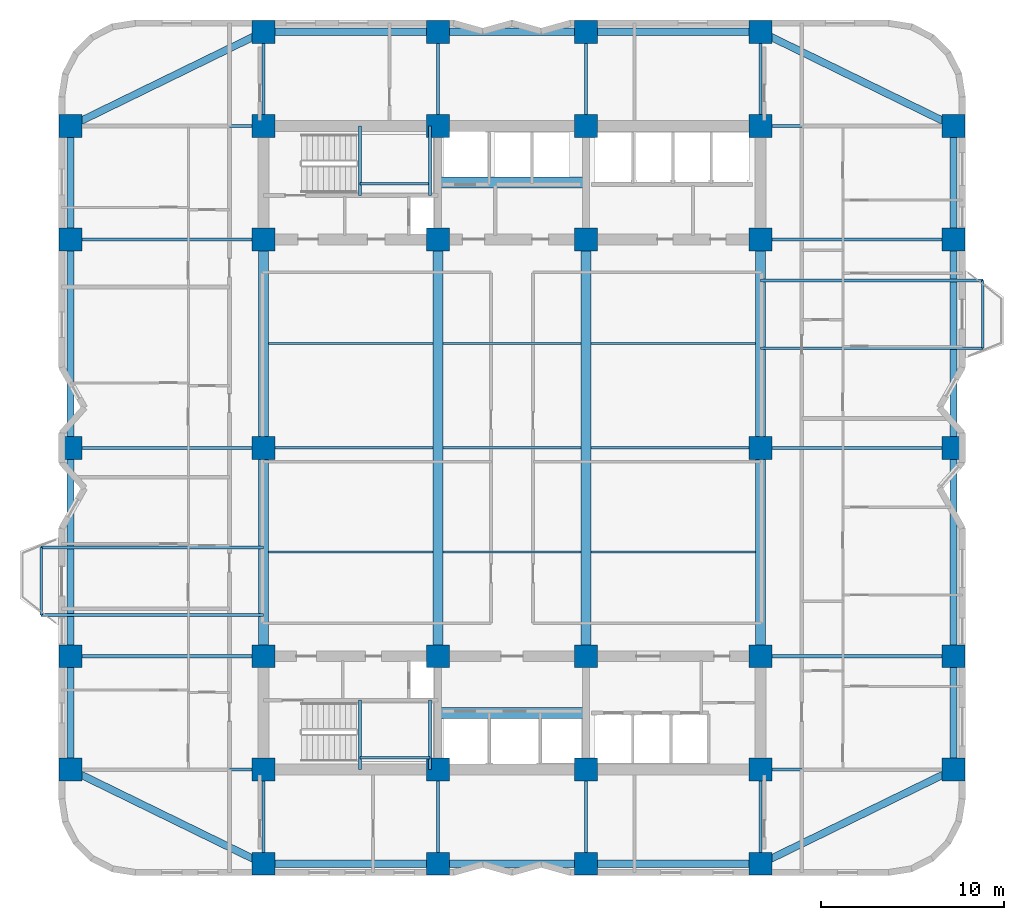
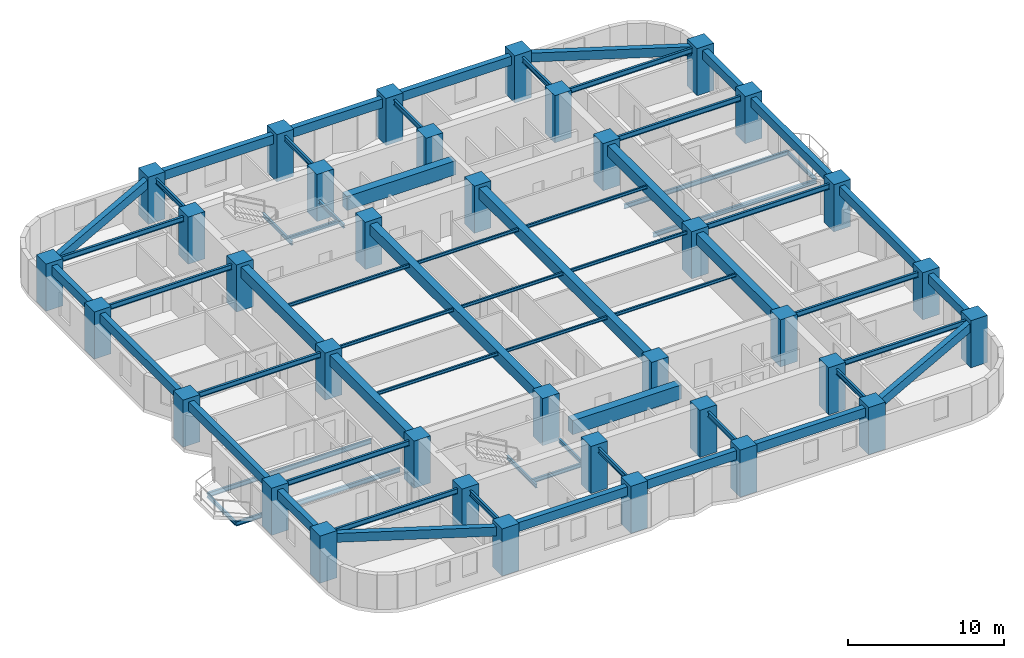
# One storey, part 1 of 9: 65 beams, 36 columns.
"""IFC4 building model written with IfcOpenShell, lengths in metres."""

from ifc_helpers import new_model, si_unit, direction, frame, origin, origin_2d, place, context, subcontext, project, spatial, rectangle, i_section, extrude, material, material_profile, profile_set, type_object, element, save


model = new_model("IFC4")

# Units and contexts
model_context = context("Model", 3, precision=1e-05, world=origin(), true_north=direction((0.0, 1.0)))
body_context = subcontext(model_context, "Body", "Model", "MODEL_VIEW")
ifc_project = project(units=[si_unit("LENGTHUNIT", "METRE"), si_unit("AREAUNIT", "SQUARE_METRE"), si_unit("VOLUMEUNIT", "CUBIC_METRE"), si_unit("PLANEANGLEUNIT", "RADIAN"), si_unit("MASSUNIT", "GRAM", prefix="KILO")], contexts=[model_context])

# Site, building, storey
site_placement = place(None, origin())
site = spatial("IfcSite", under=ifc_project, at=site_placement, CompositionType="ELEMENT")
building_placement = place(site_placement, origin())
building = spatial("IfcBuilding", under=site, at=building_placement, Name="Svetorya Sky Lyceum", CompositionType="ELEMENT")
storey_placement = place(building_placement, frame((0.0, 0.0, 54.699951171875)))
storey = spatial("IfcBuildingStorey", under=building, at=storey_placement, Name="L13", CompositionType="ELEMENT", Elevation=54.699951171875)

# Columns
ifc_material_1 = material(Name="Concrete C60/75", Category="concrete")
ifc_material_profile_1 = material_profile(ifc_material_1, rectangle(XDim=1.25, YDim=1.25, at=origin_2d()), Name="RC COL 1250x1250")
ifc_profile_set_1 = profile_set([ifc_material_profile_1], Name="Concrete C60/75")
column_type = type_object("IfcColumnType", Name="COL-RC-1250", PredefinedType="COLUMN", material=ifc_profile_set_1)
for number, where, z_axis, x_axis, name in (
    (1, (25.60009765625, 10.60009765625, 0.0), (0.0, 0.0, 1.0), (1.0, 0.0, 0.0), "L13 Core Column CS-11"),
    (2, (25.60009765625, 16.800048828125, 0.0), (0.0, 0.0, 1.0), (1.0, 0.0, 0.0), "L13 Core Column CS-12"),
    (3, (35.14990234375, 10.60009765625, 0.0), (0.0, 0.0, 1.0), (1.0, 0.0, 0.0), "L13 Core Column CS-21"),
    (4, (35.14990234375, 16.800048828125, 0.0), (0.0, 0.0, 1.0), (1.0, 0.0, 0.0), "L13 Core Column CS-22"),
    (5, (43.25, 10.60009765625, 0.0), (0.0, 0.0, 1.0), (1.0, 0.0, 0.0), "L13 Core Column CS-31"),
    (6, (43.25, 16.800048828125, 0.0), (0.0, 0.0, 1.0), (1.0, 0.0, 0.0), "L13 Core Column CS-32"),
    (7, (52.800048828125, 10.60009765625, 0.0), (0.0, 0.0, 1.0), (1.0, 0.0, 0.0), "L13 Core Column CS-41"),
    (8, (52.800048828125, 16.800048828125, 0.0), (0.0, 0.0, 1.0), (1.0, 0.0, 0.0), "L13 Core Column CS-42"),
    (9, (25.60009765625, 39.60009765625, 0.0), (0.0, 0.0, 1.0), (1.0, 0.0, 0.0), "L13 Core Column CN-11"),
    (10, (25.60009765625, 45.800048828125, 0.0), (0.0, 0.0, 1.0), (1.0, 0.0, 0.0), "L13 Core Column CN-12"),
    (11, (35.14990234375, 39.60009765625, 0.0), (0.0, 0.0, 1.0), (1.0, 0.0, 0.0), "L13 Core Column CN-21"),
    (12, (35.14990234375, 45.800048828125, 0.0), (0.0, 0.0, 1.0), (1.0, 0.0, 0.0), "L13 Core Column CN-22"),
    (13, (43.25, 39.60009765625, 0.0), (0.0, 0.0, 1.0), (1.0, 0.0, 0.0), "L13 Core Column CN-31"),
    (14, (43.25, 45.800048828125, 0.0), (0.0, 0.0, 1.0), (1.0, 0.0, 0.0), "L13 Core Column CN-32"),
    (15, (52.800048828125, 39.60009765625, 0.0), (0.0, 0.0, 1.0), (1.0, 0.0, 0.0), "L13 Core Column CN-41"),
    (16, (52.800048828125, 45.800048828125, 0.0), (0.0, 0.0, 1.0), (1.0, 0.0, 0.0), "L13 Core Column CN-42"),
    (17, (25.60009765625, 28.199951171875, 0.0), (0.0, 0.0, 1.0), (1.0, 0.0, 0.0), "L13 Core Column CM-W"),
    (18, (52.800048828125, 28.199951171875, 0.0), (0.0, 0.0, 1.0), (1.0, 0.0, 0.0), "L13 Core Column CM-E"),
    (19, (25.60009765625, 5.449951171875, 0.0), (0.0, 0.0, 1.0), (1.0, 0.0, 0.0), "L13 Perimeter Column S1"),
    (20, (25.60009765625, 50.949951171875, 0.0), (0.0, 0.0, 1.0), (1.0, 0.0, 0.0), "L13 Perimeter Column N1"),
    (21, (35.14990234375, 5.449951171875, 0.0), (0.0, 0.0, 1.0), (1.0, 0.0, 0.0), "L13 Perimeter Column S2"),
    (22, (35.14990234375, 50.949951171875, 0.0), (0.0, 0.0, 1.0), (1.0, 0.0, 0.0), "L13 Perimeter Column N2"),
    (23, (43.25, 5.449951171875, 0.0), (0.0, 0.0, 1.0), (1.0, 0.0, 0.0), "L13 Perimeter Column S3"),
    (24, (43.25, 50.949951171875, 0.0), (0.0, 0.0, 1.0), (1.0, 0.0, 0.0), "L13 Perimeter Column N3"),
    (25, (52.800048828125, 5.449951171875, 0.0), (0.0, 0.0, 1.0), (1.0, 0.0, 0.0), "L13 Perimeter Column S4"),
    (26, (52.800048828125, 50.949951171875, 0.0), (0.0, 0.0, 1.0), (1.0, 0.0, 0.0), "L13 Perimeter Column N4"),
    (27, (15.050048828125, 10.60009765625, 0.0), (0.0, 0.0, 1.0), (1.0, 0.0, 0.0), "L13 Perimeter Column W1"),
    (28, (63.35009765625, 10.60009765625, 0.0), (0.0, 0.0, 1.0), (1.0, 0.0, 0.0), "L13 Perimeter Column E1"),
    (29, (15.050048828125, 16.800048828125, 0.0), (0.0, 0.0, 1.0), (1.0, 0.0, 0.0), "L13 Perimeter Column W2"),
    (30, (63.35009765625, 16.800048828125, 0.0), (0.0, 0.0, 1.0), (1.0, 0.0, 0.0), "L13 Perimeter Column E2"),
    (31, (15.050048828125, 28.199951171875, 0.0), (0.0, 0.0, 1.0), (1.0, 0.0, 0.0), "L13 Perimeter Column W3"),
    (32, (63.35009765625, 28.199951171875, 0.0), (0.0, 0.0, 1.0), (1.0, 0.0, 0.0), "L13 Perimeter Column E3"),
    (33, (15.050048828125, 39.60009765625, 0.0), (0.0, 0.0, 1.0), (1.0, 0.0, 0.0), "L13 Perimeter Column W4"),
    (34, (63.35009765625, 39.60009765625, 0.0), (0.0, 0.0, 1.0), (1.0, 0.0, 0.0), "L13 Perimeter Column E4"),
    (35, (15.050048828125, 45.800048828125, 0.0), (0.0, 0.0, 1.0), (1.0, 0.0, 0.0), "L13 Perimeter Column W5"),
    (36, (63.35009765625, 45.800048828125, 0.0), (0.0, 0.0, 1.0), (1.0, 0.0, 0.0), "L13 Perimeter Column E5"),
):
    element("IfcColumn", number, at=place(storey_placement, frame(where, z_axis=z_axis, x_axis=x_axis)), inside=storey, type_object=column_type, Name=name, PredefinedType="COLUMN", context=body_context, shape_type="SweptSolid", body=[
        extrude(rectangle(XDim=1.25, YDim=1.25, at=origin_2d()), origin(), (0.0, 0.0, 1.0), 3.699951171875),
    ])

# Beams
ifc_material_profile_2 = material_profile(ifc_material_1, rectangle(XDim=0.60009765625, YDim=1.10009765625, at=origin_2d()), Name="RC COUPLING 600x1100")
ifc_profile_set_2 = profile_set([ifc_material_profile_2], Name="Concrete C60/75")
beam_type_1 = type_object("IfcBeamType", Name="BM-CPL-1100", PredefinedType="LINTEL", material=ifc_profile_set_2)
for number, where, z_axis, x_axis, name in (
    (37, (35.14990234375, 13.699951171875, 2.8701171875), (1.0, 0.0, 0.0), (0.0, 1.0, 0.0), "L13 SC Core Coupling Beam"),
    (38, (35.14990234375, 42.699951171875, 2.8701171875), (1.0, 0.0, 0.0), (0.0, 1.0, 0.0), "L13 NC Core Coupling Beam"),
):
    element("IfcBeam", number, at=place(storey_placement, frame(where, z_axis=z_axis, x_axis=x_axis)), inside=storey, type_object=beam_type_1, Name=name, PredefinedType="LINTEL", context=body_context, shape_type="SweptSolid", body=[
        extrude(rectangle(XDim=0.60009765625, YDim=1.10009765625, at=origin_2d()), origin(), (0.0, 0.0, 1.0), 8.10009765625),
    ])
ifc_material_2 = material(Name="Concrete C50/60", Category="concrete")
ifc_material_profile_3 = material_profile(ifc_material_2, rectangle(XDim=0.550048828125, YDim=0.85009765625, at=origin_2d()), Name="RC BEAM 550x850")
ifc_profile_set_3 = profile_set([ifc_material_profile_3], Name="Concrete C50/60")
beam_type_2 = type_object("IfcBeamType", Name="BM-RC-850", PredefinedType="BEAM", material=ifc_profile_set_3)
beam_1_placement = place(storey_placement, frame((25.60009765625, 16.800048828125, 2.9951171875), z_axis=(0.0, 1.0, 0.0), x_axis=(-1.0, 0.0, 0.0)))
element("IfcBeam", 39, at=beam_1_placement, inside=storey, type_object=beam_type_2, Name="L13 Central Bay Primary Girder CG-1A", PredefinedType="BEAM", context=body_context, shape_type="SweptSolid", body=[
    extrude(rectangle(XDim=0.550048828125, YDim=0.85009765625, at=origin_2d()), origin(), (0.0, 0.0, 1.0), 11.39990234375),
])
beam_2_placement = place(storey_placement, frame((25.60009765625, 28.199951171875, 2.9951171875), z_axis=(0.0, 1.0, 0.0), x_axis=(-1.0, 0.0, 0.0)))
element("IfcBeam", 40, at=beam_2_placement, inside=storey, type_object=beam_type_2, Name="L13 Central Bay Primary Girder CG-1B", PredefinedType="BEAM", context=body_context, shape_type="SweptSolid", body=[
    extrude(rectangle(XDim=0.550048828125, YDim=0.85009765625, at=origin_2d()), origin(), (0.0, 0.0, 1.0), 11.400146484375),
])
for number, where, z_axis, x_axis, name in (
    (41, (35.14990234375, 16.800048828125, 2.9951171875), (0.0, 1.0, 0.0), (-1.0, 0.0, 0.0), "L13 Central Bay Primary Girder CG-2"),
    (42, (43.25, 16.800048828125, 2.9951171875), (0.0, 1.0, 0.0), (-1.0, 0.0, 0.0), "L13 Central Bay Primary Girder CG-3"),
):
    element("IfcBeam", number, at=place(storey_placement, frame(where, z_axis=z_axis, x_axis=x_axis)), inside=storey, type_object=beam_type_2, Name=name, PredefinedType="BEAM", context=body_context, shape_type="SweptSolid", body=[
        extrude(rectangle(XDim=0.550048828125, YDim=0.85009765625, at=origin_2d()), origin(), (0.0, 0.0, 1.0), 22.800048828125),
    ])
beam_3_placement = place(storey_placement, frame((52.800048828125, 16.800048828125, 2.9951171875), z_axis=(0.0, 1.0, 0.0), x_axis=(-1.0, 0.0, 0.0)))
element("IfcBeam", 43, at=beam_3_placement, inside=storey, type_object=beam_type_2, Name="L13 Central Bay Primary Girder CG-4A", PredefinedType="BEAM", context=body_context, shape_type="SweptSolid", body=[
    extrude(rectangle(XDim=0.550048828125, YDim=0.85009765625, at=origin_2d()), origin(), (0.0, 0.0, 1.0), 11.39990234375),
])
beam_4_placement = place(storey_placement, frame((52.800048828125, 28.199951171875, 2.9951171875), z_axis=(0.0, 1.0, 0.0), x_axis=(-1.0, 0.0, 0.0)))
element("IfcBeam", 44, at=beam_4_placement, inside=storey, type_object=beam_type_2, Name="L13 Central Bay Primary Girder CG-4B", PredefinedType="BEAM", context=body_context, shape_type="SweptSolid", body=[
    extrude(rectangle(XDim=0.550048828125, YDim=0.85009765625, at=origin_2d()), origin(), (0.0, 0.0, 1.0), 11.400146484375),
])
ifc_material_profile_4 = material_profile(ifc_material_2, rectangle(XDim=0.39990234375, YDim=0.699951171875, at=origin_2d()), Name="RC SPANDREL 400x700")
ifc_profile_set_4 = profile_set([ifc_material_profile_4], Name="Concrete C50/60")
beam_type_3 = type_object("IfcBeamType", Name="BM-SPN-700", PredefinedType="SPANDREL", material=ifc_profile_set_4)
beam_5_placement = place(storey_placement, frame((25.60009765625, 5.449951171875, 3.070068359375), z_axis=(1.0, 0.0, 0.0), x_axis=(0.0, 1.0, 0.0)))
element("IfcBeam", 45, at=beam_5_placement, inside=storey, type_object=beam_type_3, Name="L13 South Spandrel 1", PredefinedType="SPANDREL", context=body_context, shape_type="SweptSolid", body=[
    extrude(rectangle(XDim=0.39990234375, YDim=0.699951171875, at=origin_2d()), origin(), (0.0, 0.0, 1.0), 9.5498046875),
])
beam_6_placement = place(storey_placement, frame((35.14990234375, 5.449951171875, 3.070068359375), z_axis=(1.0, 0.0, 0.0), x_axis=(0.0, 1.0, 0.0)))
element("IfcBeam", 46, at=beam_6_placement, inside=storey, type_object=beam_type_3, Name="L13 South Spandrel 2", PredefinedType="SPANDREL", context=body_context, shape_type="SweptSolid", body=[
    extrude(rectangle(XDim=0.39990234375, YDim=0.699951171875, at=origin_2d()), origin(), (0.0, 0.0, 1.0), 8.10009765625),
])
beam_7_placement = place(storey_placement, frame((43.25, 5.449951171875, 3.070068359375), z_axis=(1.0, 0.0, 0.0), x_axis=(0.0, 1.0, 0.0)))
element("IfcBeam", 47, at=beam_7_placement, inside=storey, type_object=beam_type_3, Name="L13 South Spandrel 3", PredefinedType="SPANDREL", context=body_context, shape_type="SweptSolid", body=[
    extrude(rectangle(XDim=0.39990234375, YDim=0.699951171875, at=origin_2d()), origin(), (0.0, 0.0, 1.0), 9.550048828125),
])
beam_8_placement = place(storey_placement, frame((25.60009765625, 50.949951171875, 3.070068359375), z_axis=(1.0, 0.0, 0.0), x_axis=(0.0, 1.0, 0.0)))
element("IfcBeam", 48, at=beam_8_placement, inside=storey, type_object=beam_type_3, Name="L13 North Spandrel 1", PredefinedType="SPANDREL", context=body_context, shape_type="SweptSolid", body=[
    extrude(rectangle(XDim=0.39990234375, YDim=0.699951171875, at=origin_2d()), origin(), (0.0, 0.0, 1.0), 9.5498046875),
])
beam_9_placement = place(storey_placement, frame((35.14990234375, 50.949951171875, 3.070068359375), z_axis=(1.0, 0.0, 0.0), x_axis=(0.0, 1.0, 0.0)))
element("IfcBeam", 49, at=beam_9_placement, inside=storey, type_object=beam_type_3, Name="L13 North Spandrel 2", PredefinedType="SPANDREL", context=body_context, shape_type="SweptSolid", body=[
    extrude(rectangle(XDim=0.39990234375, YDim=0.699951171875, at=origin_2d()), origin(), (0.0, 0.0, 1.0), 8.10009765625),
])
beam_10_placement = place(storey_placement, frame((43.25, 50.949951171875, 3.070068359375), z_axis=(1.0, 0.0, 0.0), x_axis=(0.0, 1.0, 0.0)))
element("IfcBeam", 50, at=beam_10_placement, inside=storey, type_object=beam_type_3, Name="L13 North Spandrel 3", PredefinedType="SPANDREL", context=body_context, shape_type="SweptSolid", body=[
    extrude(rectangle(XDim=0.39990234375, YDim=0.699951171875, at=origin_2d()), origin(), (0.0, 0.0, 1.0), 9.550048828125),
])
for number, where, z_axis, x_axis, name in (
    (51, (25.60009765625, 5.449951171875, 3.070068359375), (-0.898641495694, 0.438683783854, 0.0), (-0.438683783854, -0.898641495694, 0.0), "L13 Corner Spandrel 1"),
    (52, (52.800048828125, 5.449951171875, 3.070068359375), (0.898641495694, 0.438683783854, 0.0), (-0.438683783854, 0.898641495694, 0.0), "L13 Corner Spandrel 2"),
    (53, (63.35009765625, 45.800048828125, 3.070068359375), (-0.898649693653, 0.438666989978, 0.0), (-0.438666989978, -0.898649693653, 0.0), "L13 Corner Spandrel 3"),
    (54, (15.050048828125, 45.800048828125, 3.070068359375), (0.898649693653, 0.438666989978, 0.0), (-0.438666989978, 0.898649693653, 0.0), "L13 Corner Spandrel 4"),
):
    element("IfcBeam", number, at=place(storey_placement, frame(where, z_axis=z_axis, x_axis=x_axis)), inside=storey, type_object=beam_type_3, Name=name, PredefinedType="SPANDREL", context=body_context, shape_type="SweptSolid", body=[
        extrude(rectangle(XDim=0.39990234375, YDim=0.699951171875, at=origin_2d()), origin(), (0.0, 0.0, 1.0), 11.739990234375),
    ])
beam_11_placement = place(storey_placement, frame((15.050048828125, 10.60009765625, 3.070068359375), z_axis=(0.0, 1.0, 0.0), x_axis=(-1.0, 0.0, 0.0)))
element("IfcBeam", 55, at=beam_11_placement, inside=storey, type_object=beam_type_3, Name="L13 West Spandrel 1", PredefinedType="SPANDREL", context=body_context, shape_type="SweptSolid", body=[
    extrude(rectangle(XDim=0.39990234375, YDim=0.699951171875, at=origin_2d()), origin(), (0.0, 0.0, 1.0), 6.199951171875),
])
beam_12_placement = place(storey_placement, frame((15.050048828125, 16.800048828125, 3.070068359375), z_axis=(0.0, 1.0, 0.0), x_axis=(-1.0, 0.0, 0.0)))
element("IfcBeam", 56, at=beam_12_placement, inside=storey, type_object=beam_type_3, Name="L13 West Spandrel 2", PredefinedType="SPANDREL", context=body_context, shape_type="SweptSolid", body=[
    extrude(rectangle(XDim=0.39990234375, YDim=0.699951171875, at=origin_2d()), origin(), (0.0, 0.0, 1.0), 11.39990234375),
])
beam_13_placement = place(storey_placement, frame((15.050048828125, 28.199951171875, 3.070068359375), z_axis=(0.0, 1.0, 0.0), x_axis=(-1.0, 0.0, 0.0)))
element("IfcBeam", 57, at=beam_13_placement, inside=storey, type_object=beam_type_3, Name="L13 West Spandrel 3", PredefinedType="SPANDREL", context=body_context, shape_type="SweptSolid", body=[
    extrude(rectangle(XDim=0.39990234375, YDim=0.699951171875, at=origin_2d()), origin(), (0.0, 0.0, 1.0), 11.400146484375),
])
for number, where, z_axis, x_axis, name in (
    (58, (15.050048828125, 39.60009765625, 3.070068359375), (0.0, 1.0, 0.0), (-1.0, 0.0, 0.0), "L13 West Spandrel 4"),
    (59, (63.35009765625, 10.60009765625, 3.070068359375), (0.0, 1.0, 0.0), (-1.0, 0.0, 0.0), "L13 East Spandrel 1"),
):
    element("IfcBeam", number, at=place(storey_placement, frame(where, z_axis=z_axis, x_axis=x_axis)), inside=storey, type_object=beam_type_3, Name=name, PredefinedType="SPANDREL", context=body_context, shape_type="SweptSolid", body=[
        extrude(rectangle(XDim=0.39990234375, YDim=0.699951171875, at=origin_2d()), origin(), (0.0, 0.0, 1.0), 6.199951171875),
    ])
beam_14_placement = place(storey_placement, frame((63.35009765625, 16.800048828125, 3.070068359375), z_axis=(0.0, 1.0, 0.0), x_axis=(-1.0, 0.0, 0.0)))
element("IfcBeam", 60, at=beam_14_placement, inside=storey, type_object=beam_type_3, Name="L13 East Spandrel 2", PredefinedType="SPANDREL", context=body_context, shape_type="SweptSolid", body=[
    extrude(rectangle(XDim=0.39990234375, YDim=0.699951171875, at=origin_2d()), origin(), (0.0, 0.0, 1.0), 11.39990234375),
])
beam_15_placement = place(storey_placement, frame((63.35009765625, 28.199951171875, 3.070068359375), z_axis=(0.0, 1.0, 0.0), x_axis=(-1.0, 0.0, 0.0)))
element("IfcBeam", 61, at=beam_15_placement, inside=storey, type_object=beam_type_3, Name="L13 East Spandrel 3", PredefinedType="SPANDREL", context=body_context, shape_type="SweptSolid", body=[
    extrude(rectangle(XDim=0.39990234375, YDim=0.699951171875, at=origin_2d()), origin(), (0.0, 0.0, 1.0), 11.400146484375),
])
beam_16_placement = place(storey_placement, frame((63.35009765625, 39.60009765625, 3.070068359375), z_axis=(0.0, 1.0, 0.0), x_axis=(-1.0, 0.0, 0.0)))
element("IfcBeam", 62, at=beam_16_placement, inside=storey, type_object=beam_type_3, Name="L13 East Spandrel 4", PredefinedType="SPANDREL", context=body_context, shape_type="SweptSolid", body=[
    extrude(rectangle(XDim=0.39990234375, YDim=0.699951171875, at=origin_2d()), origin(), (0.0, 0.0, 1.0), 6.199951171875),
])
ifc_material_3 = material(Name="Steel S355", Category="steel")
ifc_material_profile_5 = material_profile(ifc_material_3, i_section(OverallWidth=0.1240234375, OverallDepth=0.248046875, WebThickness=0.006103515625, FlangeThickness=0.009521484375, at=origin_2d()), Name="GOST 25B2")
ifc_profile_set_5 = profile_set([ifc_material_profile_5], Name="Steel S355")
beam_type_4 = type_object("IfcBeamType", Name="BM-STL-25B2", PredefinedType="JOIST", material=ifc_profile_set_5)
beam_17_placement = place(storey_placement, frame((25.875, 22.5, 3.296142578125), z_axis=(1.0, 0.0, 0.0), x_axis=(0.0, 1.0, 0.0)))
element("IfcBeam", 63, at=beam_17_placement, inside=storey, type_object=beam_type_4, Name="L13 Central Floor Joist CJ-1.1", PredefinedType="JOIST", context=body_context, shape_type="SweptSolid", body=[
    extrude(i_section(OverallWidth=0.1240234375, OverallDepth=0.248046875, WebThickness=0.006103515625, FlangeThickness=0.009521484375, at=origin_2d()), origin(), (0.0, 0.0, 1.0), 9.0),
])
beam_18_placement = place(storey_placement, frame((35.425048828125, 22.5, 3.296142578125), z_axis=(1.0, 0.0, 0.0), x_axis=(0.0, 1.0, 0.0)))
element("IfcBeam", 64, at=beam_18_placement, inside=storey, type_object=beam_type_4, Name="L13 Central Floor Joist CJ-1.2", PredefinedType="JOIST", context=body_context, shape_type="SweptSolid", body=[
    extrude(i_section(OverallWidth=0.1240234375, OverallDepth=0.248046875, WebThickness=0.006103515625, FlangeThickness=0.009521484375, at=origin_2d()), origin(), (0.0, 0.0, 1.0), 7.550048828125),
])
for number, where, z_axis, x_axis, name in (
    (65, (43.52490234375, 22.5, 3.296142578125), (1.0, 0.0, 0.0), (0.0, 1.0, 0.0), "L13 Central Floor Joist CJ-1.3"),
    (66, (25.875, 28.199951171875, 3.296142578125), (1.0, 0.0, 0.0), (0.0, 1.0, 0.0), "L13 Central Floor Joist CJ-2.1"),
):
    element("IfcBeam", number, at=place(storey_placement, frame(where, z_axis=z_axis, x_axis=x_axis)), inside=storey, type_object=beam_type_4, Name=name, PredefinedType="JOIST", context=body_context, shape_type="SweptSolid", body=[
        extrude(i_section(OverallWidth=0.1240234375, OverallDepth=0.248046875, WebThickness=0.006103515625, FlangeThickness=0.009521484375, at=origin_2d()), origin(), (0.0, 0.0, 1.0), 9.0),
    ])
beam_19_placement = place(storey_placement, frame((35.425048828125, 28.199951171875, 3.296142578125), z_axis=(1.0, 0.0, 0.0), x_axis=(0.0, 1.0, 0.0)))
element("IfcBeam", 67, at=beam_19_placement, inside=storey, type_object=beam_type_4, Name="L13 Central Floor Joist CJ-2.2", PredefinedType="JOIST", context=body_context, shape_type="SweptSolid", body=[
    extrude(i_section(OverallWidth=0.1240234375, OverallDepth=0.248046875, WebThickness=0.006103515625, FlangeThickness=0.009521484375, at=origin_2d()), origin(), (0.0, 0.0, 1.0), 7.550048828125),
])
for number, where, z_axis, x_axis, name in (
    (68, (43.52490234375, 28.199951171875, 3.296142578125), (1.0, 0.0, 0.0), (0.0, 1.0, 0.0), "L13 Central Floor Joist CJ-2.3"),
    (69, (25.875, 33.89990234375, 3.296142578125), (1.0, 0.0, 0.0), (0.0, 1.0, 0.0), "L13 Central Floor Joist CJ-3.1"),
):
    element("IfcBeam", number, at=place(storey_placement, frame(where, z_axis=z_axis, x_axis=x_axis)), inside=storey, type_object=beam_type_4, Name=name, PredefinedType="JOIST", context=body_context, shape_type="SweptSolid", body=[
        extrude(i_section(OverallWidth=0.1240234375, OverallDepth=0.248046875, WebThickness=0.006103515625, FlangeThickness=0.009521484375, at=origin_2d()), origin(), (0.0, 0.0, 1.0), 9.0),
    ])
beam_20_placement = place(storey_placement, frame((35.425048828125, 33.89990234375, 3.296142578125), z_axis=(1.0, 0.0, 0.0), x_axis=(0.0, 1.0, 0.0)))
element("IfcBeam", 70, at=beam_20_placement, inside=storey, type_object=beam_type_4, Name="L13 Central Floor Joist CJ-3.2", PredefinedType="JOIST", context=body_context, shape_type="SweptSolid", body=[
    extrude(i_section(OverallWidth=0.1240234375, OverallDepth=0.248046875, WebThickness=0.006103515625, FlangeThickness=0.009521484375, at=origin_2d()), origin(), (0.0, 0.0, 1.0), 7.550048828125),
])
beam_21_placement = place(storey_placement, frame((43.52490234375, 33.89990234375, 3.296142578125), z_axis=(1.0, 0.0, 0.0), x_axis=(0.0, 1.0, 0.0)))
element("IfcBeam", 71, at=beam_21_placement, inside=storey, type_object=beam_type_4, Name="L13 Central Floor Joist CJ-3.3", PredefinedType="JOIST", context=body_context, shape_type="SweptSolid", body=[
    extrude(i_section(OverallWidth=0.1240234375, OverallDepth=0.248046875, WebThickness=0.006103515625, FlangeThickness=0.009521484375, at=origin_2d()), origin(), (0.0, 0.0, 1.0), 9.0),
])
ifc_material_profile_6 = material_profile(ifc_material_3, i_section(OverallWidth=0.14990234375, OverallDepth=0.299072265625, WebThickness=0.006591796875, FlangeThickness=0.010498046875, at=origin_2d()), Name="GOST 30B2")
ifc_profile_set_6 = profile_set([ifc_material_profile_6], Name="Steel S355")
beam_type_5 = type_object("IfcBeamType", Name="BM-STL-30B2", PredefinedType="JOIST", material=ifc_profile_set_6)
beam_22_placement = place(storey_placement, frame((13.449951171875, 19.050048828125, -0.454345703125), z_axis=(0.0, 1.0, 0.0), x_axis=(-1.0, 0.0, 0.0)))
element("IfcBeam", 72, at=beam_22_placement, inside=storey, type_object=beam_type_5, Name="L13 Balcony Edge Tie BAL-W1", PredefinedType="JOIST", context=body_context, shape_type="SweptSolid", body=[
    extrude(i_section(OverallWidth=0.14990234375, OverallDepth=0.299072265625, WebThickness=0.006591796875, FlangeThickness=0.010498046875, at=origin_2d()), origin(), (0.0, 0.0, 1.0), 3.699951171875),
])
beam_23_placement = place(storey_placement, frame((64.949951171875, 33.64990234375, -0.454345703125), z_axis=(0.0, 1.0, 0.0), x_axis=(-1.0, 0.0, 0.0)))
element("IfcBeam", 73, at=beam_23_placement, inside=storey, type_object=beam_type_5, Name="L13 Balcony Edge Tie BAL-E1", PredefinedType="JOIST", context=body_context, shape_type="SweptSolid", body=[
    extrude(i_section(OverallWidth=0.14990234375, OverallDepth=0.299072265625, WebThickness=0.006591796875, FlangeThickness=0.010498046875, at=origin_2d()), origin(), (0.0, 0.0, 1.0), 3.7001953125),
])
for number, where, z_axis, x_axis, name in (
    (74, (30.8798828125, 10.60009765625, 1.50048828125), (0.0, 1.0, 0.0), (-1.0, 0.0, 0.0), "L13 Stair ST-S Half-Landing Support Beam 15.1"),
    (75, (34.719970703125, 10.60009765625, 1.50048828125), (0.0, 1.0, 0.0), (-1.0, 0.0, 0.0), "L13 Stair ST-S Half-Landing Support Beam 15.2"),
):
    element("IfcBeam", number, at=place(storey_placement, frame(where, z_axis=z_axis, x_axis=x_axis)), inside=storey, type_object=beam_type_5, Name=name, PredefinedType="JOIST", context=body_context, shape_type="SweptSolid", body=[
        extrude(i_section(OverallWidth=0.14990234375, OverallDepth=0.299072265625, WebThickness=0.006591796875, FlangeThickness=0.010498046875, at=origin_2d()), origin(), (0.0, 0.0, 1.0), 3.7998046875),
    ])
beam_24_placement = place(storey_placement, frame((30.8798828125, 11.25, 1.50048828125), z_axis=(1.0, 0.0, 0.0), x_axis=(0.0, 1.0, 0.0)))
element("IfcBeam", 76, at=beam_24_placement, inside=storey, type_object=beam_type_5, Name="L13 Stair ST-S Half-Landing Cross Tie 15", PredefinedType="JOIST", context=body_context, shape_type="SweptSolid", body=[
    extrude(i_section(OverallWidth=0.14990234375, OverallDepth=0.299072265625, WebThickness=0.006591796875, FlangeThickness=0.010498046875, at=origin_2d()), origin(), (0.0, 0.0, 1.0), 3.840087890625),
])
for number, where, z_axis, x_axis, name in (
    (77, (30.8798828125, 42.0, 1.50048828125), (0.0, 1.0, 0.0), (-1.0, 0.0, 0.0), "L13 Stair ST-N Half-Landing Support Beam 15.1"),
    (78, (34.719970703125, 42.0, 1.50048828125), (0.0, 1.0, 0.0), (-1.0, 0.0, 0.0), "L13 Stair ST-N Half-Landing Support Beam 15.2"),
):
    element("IfcBeam", number, at=place(storey_placement, frame(where, z_axis=z_axis, x_axis=x_axis)), inside=storey, type_object=beam_type_5, Name=name, PredefinedType="JOIST", context=body_context, shape_type="SweptSolid", body=[
        extrude(i_section(OverallWidth=0.14990234375, OverallDepth=0.299072265625, WebThickness=0.006591796875, FlangeThickness=0.010498046875, at=origin_2d()), origin(), (0.0, 0.0, 1.0), 3.800048828125),
    ])
beam_25_placement = place(storey_placement, frame((30.8798828125, 42.64990234375, 1.50048828125), z_axis=(1.0, 0.0, 0.0), x_axis=(0.0, 1.0, 0.0)))
element("IfcBeam", 79, at=beam_25_placement, inside=storey, type_object=beam_type_5, Name="L13 Stair ST-N Half-Landing Cross Tie 15", PredefinedType="JOIST", context=body_context, shape_type="SweptSolid", body=[
    extrude(i_section(OverallWidth=0.14990234375, OverallDepth=0.299072265625, WebThickness=0.006591796875, FlangeThickness=0.010498046875, at=origin_2d()), origin(), (0.0, 0.0, 1.0), 3.840087890625),
])
ifc_material_profile_7 = material_profile(ifc_material_3, i_section(OverallWidth=0.155029296875, OverallDepth=0.34912109375, WebThickness=0.007080078125, FlangeThickness=0.011474609375, at=origin_2d()), Name="GOST 35B2")
ifc_profile_set_7 = profile_set([ifc_material_profile_7], Name="Steel S355")
beam_type_6 = type_object("IfcBeamType", Name="BM-STL-35B2", PredefinedType="JOIST", material=ifc_profile_set_7)
for number, where, z_axis, x_axis, name in (
    (80, (25.60009765625, 19.050048828125, -0.454345703125), (-1.0, 0.0, 0.0), (0.0, -1.0, 0.0), "L13 Balcony Cantilever Beam BAL-W1-1"),
    (81, (25.60009765625, 22.75, -0.454345703125), (-1.0, 0.0, 0.0), (0.0, -1.0, 0.0), "L13 Balcony Cantilever Beam BAL-W1-2"),
):
    element("IfcBeam", number, at=place(storey_placement, frame(where, z_axis=z_axis, x_axis=x_axis)), inside=storey, type_object=beam_type_6, Name=name, PredefinedType="JOIST", context=body_context, shape_type="SweptSolid", body=[
        extrude(i_section(OverallWidth=0.155029296875, OverallDepth=0.34912109375, WebThickness=0.007080078125, FlangeThickness=0.011474609375, at=origin_2d()), origin(), (0.0, 0.0, 1.0), 12.150146484375),
    ])
for number, where, z_axis, x_axis, name in (
    (82, (52.800048828125, 33.64990234375, -0.454345703125), (1.0, 0.0, 0.0), (0.0, 1.0, 0.0), "L13 Balcony Cantilever Beam BAL-E1-1"),
    (83, (52.800048828125, 37.35009765625, -0.454345703125), (1.0, 0.0, 0.0), (0.0, 1.0, 0.0), "L13 Balcony Cantilever Beam BAL-E1-2"),
):
    element("IfcBeam", number, at=place(storey_placement, frame(where, z_axis=z_axis, x_axis=x_axis)), inside=storey, type_object=beam_type_6, Name=name, PredefinedType="JOIST", context=body_context, shape_type="SweptSolid", body=[
        extrude(i_section(OverallWidth=0.155029296875, OverallDepth=0.34912109375, WebThickness=0.007080078125, FlangeThickness=0.011474609375, at=origin_2d()), origin(), (0.0, 0.0, 1.0), 12.14990234375),
    ])
ifc_material_profile_8 = material_profile(ifc_material_3, i_section(OverallWidth=0.1650390625, OverallDepth=0.39990234375, WebThickness=0.008056640625, FlangeThickness=0.012939453125, at=origin_2d()), Name="GOST 40B2")
ifc_profile_set_8 = profile_set([ifc_material_profile_8], Name="Steel S355")
beam_type_7 = type_object("IfcBeamType", Name="BM-STL-40B2", PredefinedType="JOIST", material=ifc_profile_set_8)
for number, where, z_axis, x_axis, name in (
    (84, (15.050048828125, 10.60009765625, 3.219970703125), (1.0, 0.0, 0.0), (0.0, 1.0, 0.0), "L13 West Wing Floor Joist W1"),
    (85, (52.800048828125, 10.60009765625, 3.219970703125), (1.0, 0.0, 0.0), (0.0, 1.0, 0.0), "L13 East Wing Floor Joist E1"),
    (86, (15.050048828125, 16.800048828125, 3.219970703125), (1.0, 0.0, 0.0), (0.0, 1.0, 0.0), "L13 West Wing Floor Joist W2"),
    (87, (52.800048828125, 16.800048828125, 3.219970703125), (1.0, 0.0, 0.0), (0.0, 1.0, 0.0), "L13 East Wing Floor Joist E2"),
    (88, (15.050048828125, 28.199951171875, 3.219970703125), (1.0, 0.0, 0.0), (0.0, 1.0, 0.0), "L13 West Wing Floor Joist W3"),
    (89, (52.800048828125, 28.199951171875, 3.219970703125), (1.0, 0.0, 0.0), (0.0, 1.0, 0.0), "L13 East Wing Floor Joist E3"),
    (90, (15.050048828125, 39.60009765625, 3.219970703125), (1.0, 0.0, 0.0), (0.0, 1.0, 0.0), "L13 West Wing Floor Joist W4"),
    (91, (52.800048828125, 39.60009765625, 3.219970703125), (1.0, 0.0, 0.0), (0.0, 1.0, 0.0), "L13 East Wing Floor Joist E4"),
    (92, (15.050048828125, 45.800048828125, 3.219970703125), (1.0, 0.0, 0.0), (0.0, 1.0, 0.0), "L13 West Wing Floor Joist W5"),
    (93, (52.800048828125, 45.800048828125, 3.219970703125), (1.0, 0.0, 0.0), (0.0, 1.0, 0.0), "L13 East Wing Floor Joist E5"),
):
    element("IfcBeam", number, at=place(storey_placement, frame(where, z_axis=z_axis, x_axis=x_axis)), inside=storey, type_object=beam_type_7, Name=name, PredefinedType="JOIST", context=body_context, shape_type="SweptSolid", body=[
        extrude(i_section(OverallWidth=0.1650390625, OverallDepth=0.39990234375, WebThickness=0.008056640625, FlangeThickness=0.012939453125, at=origin_2d()), origin(), (0.0, 0.0, 1.0), 10.550048828125),
    ])
beam_26_placement = place(storey_placement, frame((25.60009765625, 5.449951171875, 3.219970703125), z_axis=(0.0, 1.0, 0.0), x_axis=(-1.0, 0.0, 0.0)))
element("IfcBeam", 94, at=beam_26_placement, inside=storey, type_object=beam_type_7, Name="L13 South Bay Floor Girder S1", PredefinedType="JOIST", context=body_context, shape_type="SweptSolid", body=[
    extrude(i_section(OverallWidth=0.1650390625, OverallDepth=0.39990234375, WebThickness=0.008056640625, FlangeThickness=0.012939453125, at=origin_2d()), origin(), (0.0, 0.0, 1.0), 5.150146484375),
])
beam_27_placement = place(storey_placement, frame((25.60009765625, 45.800048828125, 3.219970703125), z_axis=(0.0, 1.0, 0.0), x_axis=(-1.0, 0.0, 0.0)))
element("IfcBeam", 95, at=beam_27_placement, inside=storey, type_object=beam_type_7, Name="L13 North Bay Floor Girder N1", PredefinedType="JOIST", context=body_context, shape_type="SweptSolid", body=[
    extrude(i_section(OverallWidth=0.1650390625, OverallDepth=0.39990234375, WebThickness=0.008056640625, FlangeThickness=0.012939453125, at=origin_2d()), origin(), (0.0, 0.0, 1.0), 5.14990234375),
])
beam_28_placement = place(storey_placement, frame((35.14990234375, 5.449951171875, 3.219970703125), z_axis=(0.0, 1.0, 0.0), x_axis=(-1.0, 0.0, 0.0)))
element("IfcBeam", 96, at=beam_28_placement, inside=storey, type_object=beam_type_7, Name="L13 South Bay Floor Girder S2", PredefinedType="JOIST", context=body_context, shape_type="SweptSolid", body=[
    extrude(i_section(OverallWidth=0.1650390625, OverallDepth=0.39990234375, WebThickness=0.008056640625, FlangeThickness=0.012939453125, at=origin_2d()), origin(), (0.0, 0.0, 1.0), 5.150146484375),
])
beam_29_placement = place(storey_placement, frame((35.14990234375, 45.800048828125, 3.219970703125), z_axis=(0.0, 1.0, 0.0), x_axis=(-1.0, 0.0, 0.0)))
element("IfcBeam", 97, at=beam_29_placement, inside=storey, type_object=beam_type_7, Name="L13 North Bay Floor Girder N2", PredefinedType="JOIST", context=body_context, shape_type="SweptSolid", body=[
    extrude(i_section(OverallWidth=0.1650390625, OverallDepth=0.39990234375, WebThickness=0.008056640625, FlangeThickness=0.012939453125, at=origin_2d()), origin(), (0.0, 0.0, 1.0), 5.14990234375),
])
beam_30_placement = place(storey_placement, frame((43.25, 5.449951171875, 3.219970703125), z_axis=(0.0, 1.0, 0.0), x_axis=(-1.0, 0.0, 0.0)))
element("IfcBeam", 98, at=beam_30_placement, inside=storey, type_object=beam_type_7, Name="L13 South Bay Floor Girder S3", PredefinedType="JOIST", context=body_context, shape_type="SweptSolid", body=[
    extrude(i_section(OverallWidth=0.1650390625, OverallDepth=0.39990234375, WebThickness=0.008056640625, FlangeThickness=0.012939453125, at=origin_2d()), origin(), (0.0, 0.0, 1.0), 5.150146484375),
])
beam_31_placement = place(storey_placement, frame((43.25, 45.800048828125, 3.219970703125), z_axis=(0.0, 1.0, 0.0), x_axis=(-1.0, 0.0, 0.0)))
element("IfcBeam", 99, at=beam_31_placement, inside=storey, type_object=beam_type_7, Name="L13 North Bay Floor Girder N3", PredefinedType="JOIST", context=body_context, shape_type="SweptSolid", body=[
    extrude(i_section(OverallWidth=0.1650390625, OverallDepth=0.39990234375, WebThickness=0.008056640625, FlangeThickness=0.012939453125, at=origin_2d()), origin(), (0.0, 0.0, 1.0), 5.14990234375),
])
beam_32_placement = place(storey_placement, frame((52.800048828125, 5.449951171875, 3.219970703125), z_axis=(0.0, 1.0, 0.0), x_axis=(-1.0, 0.0, 0.0)))
element("IfcBeam", 100, at=beam_32_placement, inside=storey, type_object=beam_type_7, Name="L13 South Bay Floor Girder S4", PredefinedType="JOIST", context=body_context, shape_type="SweptSolid", body=[
    extrude(i_section(OverallWidth=0.1650390625, OverallDepth=0.39990234375, WebThickness=0.008056640625, FlangeThickness=0.012939453125, at=origin_2d()), origin(), (0.0, 0.0, 1.0), 5.150146484375),
])
beam_33_placement = place(storey_placement, frame((52.800048828125, 45.800048828125, 3.219970703125), z_axis=(0.0, 1.0, 0.0), x_axis=(-1.0, 0.0, 0.0)))
element("IfcBeam", 101, at=beam_33_placement, inside=storey, type_object=beam_type_7, Name="L13 North Bay Floor Girder N4", PredefinedType="JOIST", context=body_context, shape_type="SweptSolid", body=[
    extrude(i_section(OverallWidth=0.1650390625, OverallDepth=0.39990234375, WebThickness=0.008056640625, FlangeThickness=0.012939453125, at=origin_2d()), origin(), (0.0, 0.0, 1.0), 5.14990234375),
])

save(model, "model.ifc")
